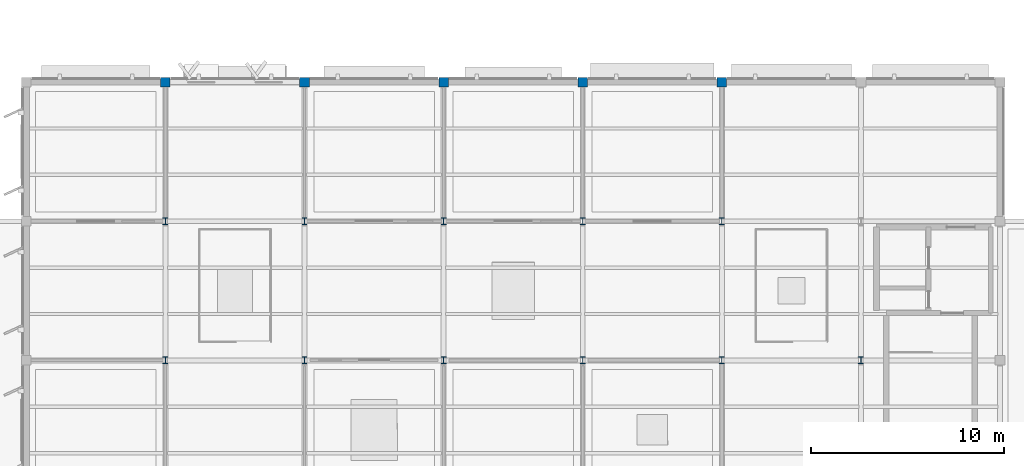
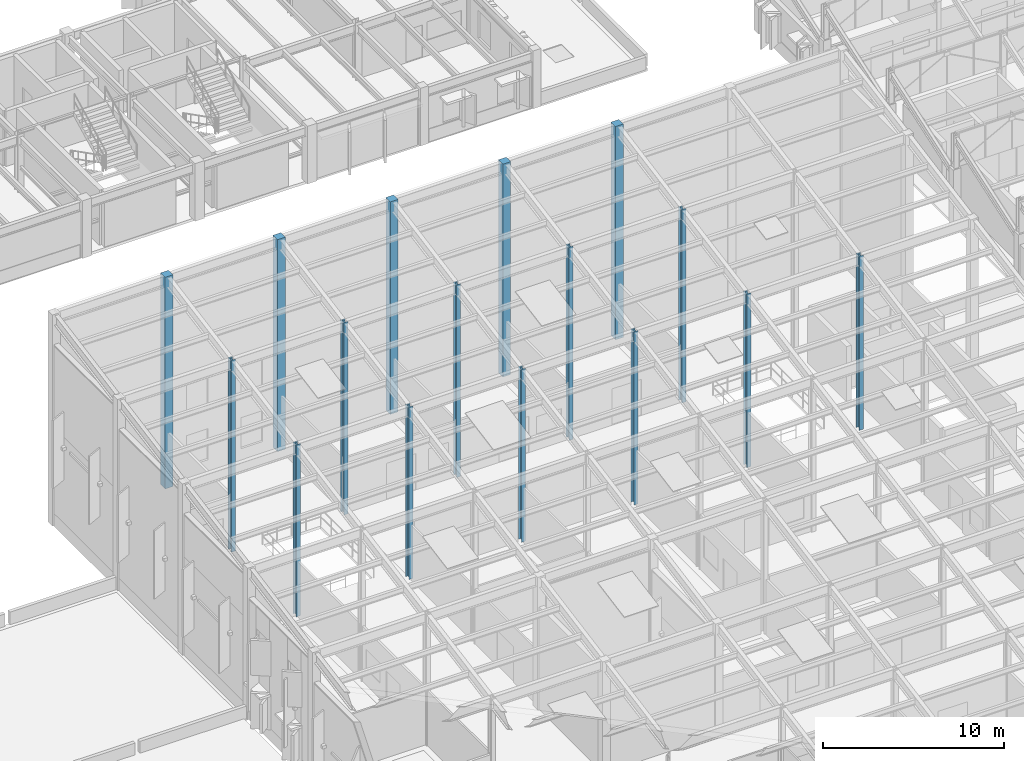
# One storey, part 6 of 82: 16 columns.
"""IFC4 building model written with IfcOpenShell, lengths in metres."""

from ifc_helpers import new_model, si_unit, direction, frame, origin, origin_2d, place, context, subcontext, project, spatial, rectangle, i_section, extrude, material, material_profile, profile_set, type_object, element, save


model = new_model("IFC4")

# Units and contexts
model_context = context("Model", 3, precision=1e-05, world=origin(), true_north=direction((0.0, 1.0)))
body_context = subcontext(model_context, "Body", "Model", "MODEL_VIEW")
ifc_project = project(units=[si_unit("LENGTHUNIT", "METRE"), si_unit("AREAUNIT", "SQUARE_METRE"), si_unit("VOLUMEUNIT", "CUBIC_METRE"), si_unit("PLANEANGLEUNIT", "RADIAN"), si_unit("MASSUNIT", "GRAM", prefix="KILO")], contexts=[model_context])

# Site, building, storey
site_placement = place(None, origin())
site = spatial("IfcSite", under=ifc_project, at=site_placement, CompositionType="ELEMENT")
building_placement = place(site_placement, origin())
building = spatial("IfcBuilding", under=site, at=building_placement, Name="Sillqori Civic Hall", CompositionType="ELEMENT")
storey_placement = place(building_placement, frame((0.0, 0.0, 14.10009765625)))
storey = spatial("IfcBuildingStorey", under=building, at=storey_placement, Name="L04", CompositionType="ELEMENT", Elevation=14.10009765625)

# Columns
ifc_material_1 = material(Name="Concrete C35/45 (H35)", Category="concrete")
ifc_material_profile_1 = material_profile(ifc_material_1, rectangle(XDim=0.5, YDim=0.5, at=origin_2d()), Name="RC 500x500")
ifc_profile_set_1 = profile_set([ifc_material_profile_1], Name="Concrete C35/45 (H35)")
column_type_1 = type_object("IfcColumnType", Name="COL-RC500", PredefinedType="COLUMN", material=ifc_profile_set_1)
column_1_placement = place(storey_placement, frame((72.0, 57.60009765625, 0.0), z_axis=(0.0, 0.0, 1.0), x_axis=(1.0, 0.0, 0.0)))
element("IfcColumn", 1, at=column_1_placement, inside=storey, type_object=column_type_1, Name="L04 column 10-8", PredefinedType="COLUMN", context=body_context, shape_type="SweptSolid", body=[
    extrude(rectangle(XDim=0.5, YDim=0.5, at=origin_2d()), origin(), (0.0, 0.0, 1.0), 14.3046875),
])
column_2_placement = place(storey_placement, frame((79.199951171875, 57.60009765625, 0.0), z_axis=(0.0, 0.0, 1.0), x_axis=(1.0, 0.0, 0.0)))
element("IfcColumn", 2, at=column_2_placement, inside=storey, type_object=column_type_1, Name="L04 column 11-8", PredefinedType="COLUMN", context=body_context, shape_type="SweptSolid", body=[
    extrude(rectangle(XDim=0.5, YDim=0.5, at=origin_2d()), origin(), (0.0, 0.0, 1.0), 14.333251953125),
])
column_3_placement = place(storey_placement, frame((86.39990234375, 57.60009765625, 0.0), z_axis=(0.0, 0.0, 1.0), x_axis=(1.0, 0.0, 0.0)))
element("IfcColumn", 3, at=column_3_placement, inside=storey, type_object=column_type_1, Name="L04 column 12-8", PredefinedType="COLUMN", context=body_context, shape_type="SweptSolid", body=[
    extrude(rectangle(XDim=0.5, YDim=0.5, at=origin_2d()), origin(), (0.0, 0.0, 1.0), 14.36181640625),
])
column_4_placement = place(storey_placement, frame((93.60009765625, 57.60009765625, 0.0), z_axis=(0.0, 0.0, 1.0), x_axis=(1.0, 0.0, 0.0)))
element("IfcColumn", 4, at=column_4_placement, inside=storey, type_object=column_type_1, Name="L04 column 13-8", PredefinedType="COLUMN", context=body_context, shape_type="SweptSolid", body=[
    extrude(rectangle(XDim=0.5, YDim=0.5, at=origin_2d()), origin(), (0.0, 0.0, 1.0), 14.390380859375),
])
column_5_placement = place(storey_placement, frame((100.800048828125, 57.60009765625, 0.0), z_axis=(0.0, 0.0, 1.0), x_axis=(1.0, 0.0, 0.0)))
element("IfcColumn", 5, at=column_5_placement, inside=storey, type_object=column_type_1, Name="L04 column 14-8", PredefinedType="COLUMN", context=body_context, shape_type="SweptSolid", body=[
    extrude(rectangle(XDim=0.5, YDim=0.5, at=origin_2d()), origin(), (0.0, 0.0, 1.0), 14.4189453125),
])
ifc_material_2 = material(Name="Steel ASTM A992", Category="steel")
ifc_material_profile_2 = material_profile(ifc_material_2, i_section(OverallWidth=0.257080078125, OverallDepth=0.363037109375, WebThickness=0.012939453125, FlangeThickness=0.021728515625, FilletRadius=0.014892578125, at=origin_2d()), Name="W14X82")
ifc_profile_set_2 = profile_set([ifc_material_profile_2], Name="Steel ASTM A992")
column_type_2 = type_object("IfcColumnType", Name="COL-W14X82", PredefinedType="COLUMN", material=ifc_profile_set_2)
column_6_placement = place(storey_placement, frame((72.0, 43.199951171875, 0.0), z_axis=(0.0, 0.0, 1.0), x_axis=(1.0, 0.0, 0.0)))
element("IfcColumn", 6, at=column_6_placement, inside=storey, type_object=column_type_2, Name="L04 column 10-6", PredefinedType="COLUMN", context=body_context, shape_type="SweptSolid", body=[
    extrude(i_section(OverallWidth=0.257080078125, OverallDepth=0.363037109375, WebThickness=0.012939453125, FlangeThickness=0.021728515625, FilletRadius=0.014892578125, at=origin_2d()), origin(), (0.0, 0.0, 1.0), 11.618896484375),
])
column_7_placement = place(storey_placement, frame((72.0, 50.39990234375, 0.0), z_axis=(0.0, 0.0, 1.0), x_axis=(1.0, 0.0, 0.0)))
element("IfcColumn", 7, at=column_7_placement, inside=storey, type_object=column_type_2, Name="L04 column 10-7", PredefinedType="COLUMN", context=body_context, shape_type="SweptSolid", body=[
    extrude(i_section(OverallWidth=0.257080078125, OverallDepth=0.363037109375, WebThickness=0.012939453125, FlangeThickness=0.021728515625, FilletRadius=0.014892578125, at=origin_2d()), origin(), (0.0, 0.0, 1.0), 12.9619140625),
])
column_8_placement = place(storey_placement, frame((79.199951171875, 43.199951171875, 0.0), z_axis=(0.0, 0.0, 1.0), x_axis=(1.0, 0.0, 0.0)))
element("IfcColumn", 8, at=column_8_placement, inside=storey, type_object=column_type_2, Name="L04 column 11-6", PredefinedType="COLUMN", context=body_context, shape_type="SweptSolid", body=[
    extrude(i_section(OverallWidth=0.257080078125, OverallDepth=0.363037109375, WebThickness=0.012939453125, FlangeThickness=0.021728515625, FilletRadius=0.014892578125, at=origin_2d()), origin(), (0.0, 0.0, 1.0), 11.6474609375),
])
column_9_placement = place(storey_placement, frame((79.199951171875, 50.39990234375, 0.0), z_axis=(0.0, 0.0, 1.0), x_axis=(1.0, 0.0, 0.0)))
element("IfcColumn", 9, at=column_9_placement, inside=storey, type_object=column_type_2, Name="L04 column 11-7", PredefinedType="COLUMN", context=body_context, shape_type="SweptSolid", body=[
    extrude(i_section(OverallWidth=0.257080078125, OverallDepth=0.363037109375, WebThickness=0.012939453125, FlangeThickness=0.021728515625, FilletRadius=0.014892578125, at=origin_2d()), origin(), (0.0, 0.0, 1.0), 12.990478515625),
])
column_10_placement = place(storey_placement, frame((86.39990234375, 43.199951171875, 0.0), z_axis=(0.0, 0.0, 1.0), x_axis=(1.0, 0.0, 0.0)))
element("IfcColumn", 10, at=column_10_placement, inside=storey, type_object=column_type_2, Name="L04 column 12-6", PredefinedType="COLUMN", context=body_context, shape_type="SweptSolid", body=[
    extrude(i_section(OverallWidth=0.257080078125, OverallDepth=0.363037109375, WebThickness=0.012939453125, FlangeThickness=0.021728515625, FilletRadius=0.014892578125, at=origin_2d()), origin(), (0.0, 0.0, 1.0), 11.676025390625),
])
column_11_placement = place(storey_placement, frame((86.39990234375, 50.39990234375, 0.0), z_axis=(0.0, 0.0, 1.0), x_axis=(1.0, 0.0, 0.0)))
element("IfcColumn", 11, at=column_11_placement, inside=storey, type_object=column_type_2, Name="L04 column 12-7", PredefinedType="COLUMN", context=body_context, shape_type="SweptSolid", body=[
    extrude(i_section(OverallWidth=0.257080078125, OverallDepth=0.363037109375, WebThickness=0.012939453125, FlangeThickness=0.021728515625, FilletRadius=0.014892578125, at=origin_2d()), origin(), (0.0, 0.0, 1.0), 13.01904296875),
])
column_12_placement = place(storey_placement, frame((93.60009765625, 43.199951171875, 0.0), z_axis=(0.0, 0.0, 1.0), x_axis=(1.0, 0.0, 0.0)))
element("IfcColumn", 12, at=column_12_placement, inside=storey, type_object=column_type_2, Name="L04 column 13-6", PredefinedType="COLUMN", context=body_context, shape_type="SweptSolid", body=[
    extrude(i_section(OverallWidth=0.257080078125, OverallDepth=0.363037109375, WebThickness=0.012939453125, FlangeThickness=0.021728515625, FilletRadius=0.014892578125, at=origin_2d()), origin(), (0.0, 0.0, 1.0), 11.70458984375),
])
column_13_placement = place(storey_placement, frame((93.60009765625, 50.39990234375, 0.0), z_axis=(0.0, 0.0, 1.0), x_axis=(1.0, 0.0, 0.0)))
element("IfcColumn", 13, at=column_13_placement, inside=storey, type_object=column_type_2, Name="L04 column 13-7", PredefinedType="COLUMN", context=body_context, shape_type="SweptSolid", body=[
    extrude(i_section(OverallWidth=0.257080078125, OverallDepth=0.363037109375, WebThickness=0.012939453125, FlangeThickness=0.021728515625, FilletRadius=0.014892578125, at=origin_2d()), origin(), (0.0, 0.0, 1.0), 13.047607421875),
])
column_14_placement = place(storey_placement, frame((100.800048828125, 43.199951171875, 0.0), z_axis=(0.0, 0.0, 1.0), x_axis=(1.0, 0.0, 0.0)))
element("IfcColumn", 14, at=column_14_placement, inside=storey, type_object=column_type_2, Name="L04 column 14-6", PredefinedType="COLUMN", context=body_context, shape_type="SweptSolid", body=[
    extrude(i_section(OverallWidth=0.257080078125, OverallDepth=0.363037109375, WebThickness=0.012939453125, FlangeThickness=0.021728515625, FilletRadius=0.014892578125, at=origin_2d()), origin(), (0.0, 0.0, 1.0), 11.733154296875),
])
column_15_placement = place(storey_placement, frame((100.800048828125, 50.39990234375, 0.0), z_axis=(0.0, 0.0, 1.0), x_axis=(1.0, 0.0, 0.0)))
element("IfcColumn", 15, at=column_15_placement, inside=storey, type_object=column_type_2, Name="L04 column 14-7", PredefinedType="COLUMN", context=body_context, shape_type="SweptSolid", body=[
    extrude(i_section(OverallWidth=0.257080078125, OverallDepth=0.363037109375, WebThickness=0.012939453125, FlangeThickness=0.021728515625, FilletRadius=0.014892578125, at=origin_2d()), origin(), (0.0, 0.0, 1.0), 13.076171875),
])
column_16_placement = place(storey_placement, frame((108.0, 43.199951171875, 0.0), z_axis=(0.0, 0.0, 1.0), x_axis=(1.0, 0.0, 0.0)))
element("IfcColumn", 16, at=column_16_placement, inside=storey, type_object=column_type_2, Name="L04 column 15-6", PredefinedType="COLUMN", context=body_context, shape_type="SweptSolid", body=[
    extrude(i_section(OverallWidth=0.257080078125, OverallDepth=0.363037109375, WebThickness=0.012939453125, FlangeThickness=0.021728515625, FilletRadius=0.014892578125, at=origin_2d()), origin(), (0.0, 0.0, 1.0), 11.76171875),
])

save(model, "model.ifc")
